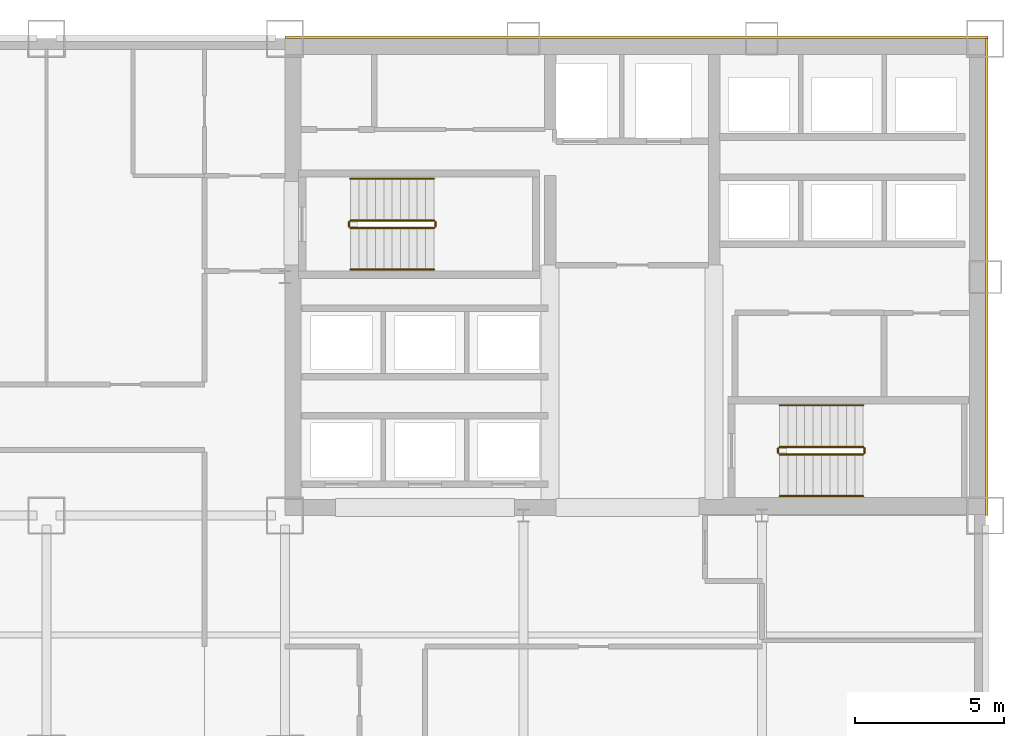
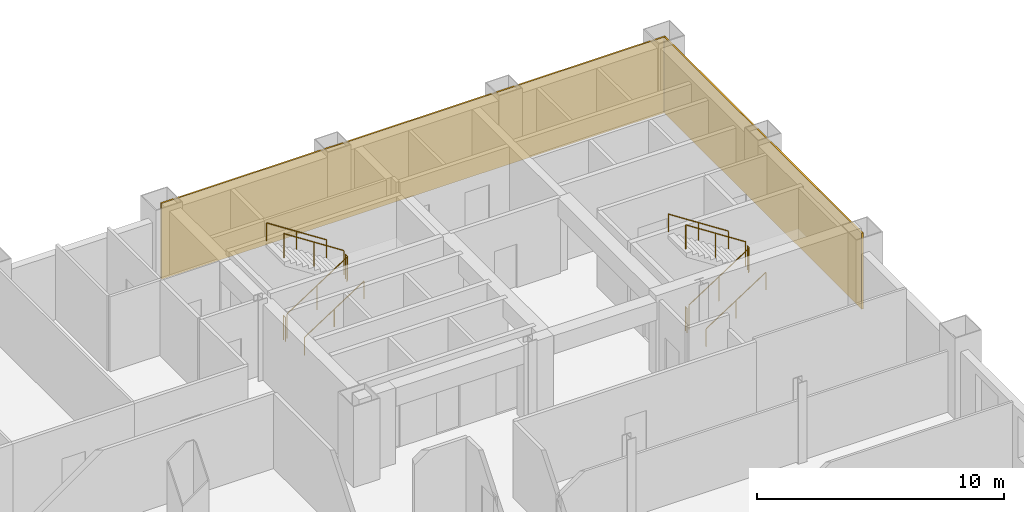
# One storey, part 9 of 9: 12 railings, 2 coverings.
"""IFC4 building model written with IfcOpenShell, lengths in metres."""

from ifc_helpers import new_model, si_unit, direction, frame, origin, origin_2d, place, context, subcontext, project, spatial, rectangle, circle, extrude, material, layer, layer_set, type_object, element, save


model = new_model("IFC4")

# Units and contexts
model_context = context("Model", 3, precision=1e-05, world=origin(), true_north=direction((0.0, 1.0)))
body_context = subcontext(model_context, "Body", "Model", "MODEL_VIEW")
ifc_project = project(units=[si_unit("LENGTHUNIT", "METRE"), si_unit("AREAUNIT", "SQUARE_METRE"), si_unit("VOLUMEUNIT", "CUBIC_METRE"), si_unit("PLANEANGLEUNIT", "RADIAN"), si_unit("MASSUNIT", "GRAM", prefix="KILO")], contexts=[model_context])

# Site, building, storey
site_placement = place(None, origin())
site = spatial("IfcSite", under=ifc_project, at=site_placement, CompositionType="ELEMENT")
building_placement = place(site_placement, origin())
building = spatial("IfcBuilding", under=site, at=building_placement, Name="Qianrong Seaharbour Tower", CompositionType="ELEMENT")
storey_placement = place(building_placement, frame((0.0, 0.0, 32.199951171875)))
storey = spatial("IfcBuildingStorey", under=building, at=storey_placement, Name="L07", CompositionType="ELEMENT", Elevation=32.199951171875)

# Coverings
ifc_material_1 = material(Name="Unitised red brick cladding on Precast concrete C45/55", Category="masonry")
ifc_layer = layer(ifc_material_1, 0.080078125)
ifc_layer_set = layer_set([ifc_layer], Name="Unitised red brick cladding on Precast concrete C45/55")
covering_type = type_object("IfcCoveringType", Name="COV-CLAD-RED-BRICK-80", PredefinedType="CLADDING", material=ifc_layer_set)
covering_1_placement = place(storey_placement, frame((52.2900390625, 52.0400390625, 0.0), z_axis=(0.0, 0.0, 1.0), x_axis=(1.0, 0.0, 0.0)))
element("IfcCovering", 1, at=covering_1_placement, inside=storey, type_object=covering_type, Name="L07 North Core Brick Veneer Cladding", PredefinedType="CLADDING", context=body_context, shape_type="SweptSolid", body=[
    extrude(rectangle(XDim=23.580078125, YDim=0.080078125, at=origin_2d()), origin(), (0.0, 0.0, 1.0), 3.75),
])
covering_2_placement = place(storey_placement, frame((64.0400390625, 44.0, 0.0), z_axis=(0.0, 0.0, 1.0), x_axis=(1.0, 0.0, 0.0)))
element("IfcCovering", 2, at=covering_2_placement, inside=storey, type_object=covering_type, Name="L07 East Core Brick Veneer Cladding", PredefinedType="CLADDING", context=body_context, shape_type="SweptSolid", body=[
    extrude(rectangle(XDim=0.080078125, YDim=16.0, at=origin_2d()), origin(), (0.0, 0.0, 1.0), 3.75),
])

# Railings
ifc_material_2 = material(Name="Galvanized painted steel SN400B stair guard", Category="steel")
railing_type_1 = type_object("IfcRailingType", Name="RAIL-STAIR-GUARD-1220", PredefinedType="GUARDRAIL", material=ifc_material_2)
railing_1_placement = place(storey_placement, frame((42.699951171875, 45.64990234375, 0.181884765625)))
element("IfcRailing", 3, at=railing_1_placement, inside=storey, type_object=railing_type_1, Name="L07 ST-1 stair guard 1", PredefinedType="GUARDRAIL", context=body_context, shape_type="SweptSolid", body=[
    extrude(circle(Radius=0.02392578125, at=origin_2d()), frame((0.0, 0.0, 1.19580078125), z_axis=(0.838705829183, 0.0, 0.544584733623), x_axis=(0.0, 1.0, 0.0)), (0.0, 0.0, 1.0), 3.338623046875),
    extrude(circle(Radius=0.02099609375, at=origin_2d()), origin(), (0.0, 0.0, 1.0), 1.171875),
    extrude(circle(Radius=0.02099609375, at=origin_2d()), frame((1.39990234375, 0.0, 0.9091796875)), (0.0, 0.0, 1.0), 1.171875),
    extrude(circle(Radius=0.02099609375, at=origin_2d()), frame((2.800048828125, 0.0, 1.818115234375)), (0.0, 0.0, 1.0), 1.171875),
])
railing_2_placement = place(storey_placement, frame((45.550048828125, 45.699951171875, 2.0)))
element("IfcRailing", 4, at=railing_2_placement, inside=storey, type_object=railing_type_1, Name="L07 ST-1 stair guard 2", PredefinedType="GUARDRAIL", context=body_context, shape_type="SweptSolid", body=[
    extrude(circle(Radius=0.02392578125, at=origin_2d()), frame((0.0, 0.0, 1.19580078125), z_axis=(0.0, 1.0, 0.0), x_axis=(-1.0, 0.0, 0.0)), (0.0, 0.0, 1.0), 0.150146484375),
    extrude(circle(Radius=0.02099609375, at=origin_2d()), origin(), (0.0, 0.0, 1.0), 1.171875),
    extrude(circle(Radius=0.02099609375, at=origin_2d()), frame((0.0, 0.150146484375, 0.0)), (0.0, 0.0, 1.0), 1.171875),
])
railing_3_placement = place(storey_placement, frame((45.5, 45.89990234375, 2.181884765625)))
element("IfcRailing", 5, at=railing_3_placement, inside=storey, type_object=railing_type_1, Name="L07 ST-1 stair guard 3", PredefinedType="GUARDRAIL", context=body_context, shape_type="SweptSolid", body=[
    extrude(circle(Radius=0.02392578125, at=origin_2d()), frame((0.0, 0.0, 1.19580078125), z_axis=(-0.838705829183, 0.0, 0.544584733623), x_axis=(0.0, -1.0, 0.0)), (0.0, 0.0, 1.0), 3.338623046875),
    extrude(circle(Radius=0.02099609375, at=origin_2d()), origin(), (0.0, 0.0, 1.0), 1.171875),
    extrude(circle(Radius=0.02099609375, at=origin_2d()), frame((-1.39990234375, 0.0, 0.9091796875)), (0.0, 0.0, 1.0), 1.171875),
    extrude(circle(Radius=0.02099609375, at=origin_2d()), frame((-2.800048828125, 0.0, 1.818115234375)), (0.0, 0.0, 1.0), 1.171875),
])
railing_4_placement = place(storey_placement, frame((42.64990234375, 45.699951171875, 0.0)))
element("IfcRailing", 6, at=railing_4_placement, inside=storey, type_object=railing_type_1, Name="L07 ST-1 stair guard 4", PredefinedType="GUARDRAIL", context=body_context, shape_type="SweptSolid", body=[
    extrude(circle(Radius=0.02392578125, at=origin_2d()), frame((0.0, 0.0, 1.19580078125), z_axis=(0.0, 1.0, 0.0), x_axis=(-1.0, 0.0, 0.0)), (0.0, 0.0, 1.0), 0.150146484375),
    extrude(circle(Radius=0.02099609375, at=origin_2d()), origin(), (0.0, 0.0, 1.0), 1.171875),
    extrude(circle(Radius=0.02099609375, at=origin_2d()), frame((0.0, 0.150146484375, 0.0)), (0.0, 0.0, 1.0), 1.171875),
])
railing_5_placement = place(storey_placement, frame((57.10009765625, 38.050048828125, 0.181884765625)))
element("IfcRailing", 7, at=railing_5_placement, inside=storey, type_object=railing_type_1, Name="L07 ST-2 stair guard 1", PredefinedType="GUARDRAIL", context=body_context, shape_type="SweptSolid", body=[
    extrude(circle(Radius=0.02392578125, at=origin_2d()), frame((0.0, 0.0, 1.19580078125), z_axis=(0.83868413941, 0.0, 0.544618136222), x_axis=(0.0, 1.0, 0.0)), (0.0, 0.0, 1.0), 3.33837890625),
    extrude(circle(Radius=0.02099609375, at=origin_2d()), origin(), (0.0, 0.0, 1.0), 1.171875),
    extrude(circle(Radius=0.02099609375, at=origin_2d()), frame((1.39990234375, 0.0, 0.9091796875)), (0.0, 0.0, 1.0), 1.171875),
    extrude(circle(Radius=0.02099609375, at=origin_2d()), frame((2.7998046875, 0.0, 1.818115234375)), (0.0, 0.0, 1.0), 1.171875),
])
railing_6_placement = place(storey_placement, frame((59.949951171875, 38.10009765625, 2.0)))
element("IfcRailing", 8, at=railing_6_placement, inside=storey, type_object=railing_type_1, Name="L07 ST-2 stair guard 2", PredefinedType="GUARDRAIL", context=body_context, shape_type="SweptSolid", body=[
    extrude(circle(Radius=0.02392578125, at=origin_2d()), frame((0.0, 0.0, 1.19580078125), z_axis=(0.0, 1.0, 0.0), x_axis=(-1.0, 0.0, 0.0)), (0.0, 0.0, 1.0), 0.14990234375),
    extrude(circle(Radius=0.02099609375, at=origin_2d()), origin(), (0.0, 0.0, 1.0), 1.171875),
    extrude(circle(Radius=0.02099609375, at=origin_2d()), frame((0.0, 0.14990234375, 0.0)), (0.0, 0.0, 1.0), 1.171875),
])
railing_7_placement = place(storey_placement, frame((59.89990234375, 38.300048828125, 2.181884765625)))
element("IfcRailing", 9, at=railing_7_placement, inside=storey, type_object=railing_type_1, Name="L07 ST-2 stair guard 3", PredefinedType="GUARDRAIL", context=body_context, shape_type="SweptSolid", body=[
    extrude(circle(Radius=0.02392578125, at=origin_2d()), frame((0.0, 0.0, 1.19580078125), z_axis=(-0.83868413941, 0.0, 0.544618136222), x_axis=(0.0, -1.0, 0.0)), (0.0, 0.0, 1.0), 3.33837890625),
    extrude(circle(Radius=0.02099609375, at=origin_2d()), origin(), (0.0, 0.0, 1.0), 1.171875),
    extrude(circle(Radius=0.02099609375, at=origin_2d()), frame((-1.39990234375, 0.0, 0.9091796875)), (0.0, 0.0, 1.0), 1.171875),
    extrude(circle(Radius=0.02099609375, at=origin_2d()), frame((-2.7998046875, 0.0, 1.818115234375)), (0.0, 0.0, 1.0), 1.171875),
])
railing_8_placement = place(storey_placement, frame((57.050048828125, 38.10009765625, 0.0)))
element("IfcRailing", 10, at=railing_8_placement, inside=storey, type_object=railing_type_1, Name="L07 ST-2 stair guard 4", PredefinedType="GUARDRAIL", context=body_context, shape_type="SweptSolid", body=[
    extrude(circle(Radius=0.02392578125, at=origin_2d()), frame((0.0, 0.0, 1.19580078125), z_axis=(0.0, 1.0, 0.0), x_axis=(-1.0, 0.0, 0.0)), (0.0, 0.0, 1.0), 0.14990234375),
    extrude(circle(Radius=0.02099609375, at=origin_2d()), origin(), (0.0, 0.0, 1.0), 1.171875),
    extrude(circle(Radius=0.02099609375, at=origin_2d()), frame((0.0, 0.14990234375, 0.0)), (0.0, 0.0, 1.0), 1.171875),
])
ifc_material_3 = material(Name="Stainless steel SUS316L continuous handrail", Category="steel")
railing_type_2 = type_object("IfcRailingType", Name="RAIL-STAIR-HANDRAIL-900", PredefinedType="HANDRAIL", material=ifc_material_3)
railing_9_placement = place(storey_placement, frame((42.699951171875, 44.25, 0.181884765625)))
element("IfcRailing", 11, at=railing_9_placement, inside=storey, type_object=railing_type_2, Name="L07 ST-1 stair handrail 1", PredefinedType="HANDRAIL", context=body_context, shape_type="SweptSolid", body=[
    extrude(circle(Radius=0.02392578125, at=origin_2d()), frame((0.0, 0.0, 0.8759765625), z_axis=(0.838705829183, 0.0, 0.544584733623), x_axis=(0.0, 1.0, 0.0)), (0.0, 0.0, 1.0), 3.338623046875),
    extrude(circle(Radius=0.02099609375, at=origin_2d()), origin(), (0.0, 0.0, 1.0), 0.851806640625),
    extrude(circle(Radius=0.02099609375, at=origin_2d()), frame((1.39990234375, 0.0, 0.9091796875)), (0.0, 0.0, 1.0), 0.851806640625),
    extrude(circle(Radius=0.02099609375, at=origin_2d()), frame((2.800048828125, 0.0, 1.818115234375)), (0.0, 0.0, 1.0), 0.851806640625),
])
railing_10_placement = place(storey_placement, frame((45.5, 47.300048828125, 2.181884765625)))
element("IfcRailing", 12, at=railing_10_placement, inside=storey, type_object=railing_type_2, Name="L07 ST-1 stair handrail 2", PredefinedType="HANDRAIL", context=body_context, shape_type="SweptSolid", body=[
    extrude(circle(Radius=0.02392578125, at=origin_2d()), frame((0.0, 0.0, 0.8759765625), z_axis=(-0.838705829183, 0.0, 0.544584733623), x_axis=(0.0, -1.0, 0.0)), (0.0, 0.0, 1.0), 3.338623046875),
    extrude(circle(Radius=0.02099609375, at=origin_2d()), origin(), (0.0, 0.0, 1.0), 0.851806640625),
    extrude(circle(Radius=0.02099609375, at=origin_2d()), frame((-1.39990234375, 0.0, 0.9091796875)), (0.0, 0.0, 1.0), 0.851806640625),
    extrude(circle(Radius=0.02099609375, at=origin_2d()), frame((-2.800048828125, 0.0, 1.818115234375)), (0.0, 0.0, 1.0), 0.851806640625),
])
railing_11_placement = place(storey_placement, frame((57.10009765625, 36.64990234375, 0.181884765625)))
element("IfcRailing", 13, at=railing_11_placement, inside=storey, type_object=railing_type_2, Name="L07 ST-2 stair handrail 1", PredefinedType="HANDRAIL", context=body_context, shape_type="SweptSolid", body=[
    extrude(circle(Radius=0.02392578125, at=origin_2d()), frame((0.0, 0.0, 0.8759765625), z_axis=(0.83868413941, 0.0, 0.544618136222), x_axis=(0.0, 1.0, 0.0)), (0.0, 0.0, 1.0), 3.33837890625),
    extrude(circle(Radius=0.02099609375, at=origin_2d()), origin(), (0.0, 0.0, 1.0), 0.851806640625),
    extrude(circle(Radius=0.02099609375, at=origin_2d()), frame((1.39990234375, 0.0, 0.9091796875)), (0.0, 0.0, 1.0), 0.851806640625),
    extrude(circle(Radius=0.02099609375, at=origin_2d()), frame((2.7998046875, 0.0, 1.818115234375)), (0.0, 0.0, 1.0), 0.851806640625),
])
railing_12_placement = place(storey_placement, frame((59.89990234375, 39.699951171875, 2.181884765625)))
element("IfcRailing", 14, at=railing_12_placement, inside=storey, type_object=railing_type_2, Name="L07 ST-2 stair handrail 2", PredefinedType="HANDRAIL", context=body_context, shape_type="SweptSolid", body=[
    extrude(circle(Radius=0.02392578125, at=origin_2d()), frame((0.0, 0.0, 0.8759765625), z_axis=(-0.83868413941, 0.0, 0.544618136222), x_axis=(0.0, -1.0, 0.0)), (0.0, 0.0, 1.0), 3.33837890625),
    extrude(circle(Radius=0.02099609375, at=origin_2d()), origin(), (0.0, 0.0, 1.0), 0.851806640625),
    extrude(circle(Radius=0.02099609375, at=origin_2d()), frame((-1.39990234375, 0.0, 0.9091796875)), (0.0, 0.0, 1.0), 0.851806640625),
    extrude(circle(Radius=0.02099609375, at=origin_2d()), frame((-2.7998046875, 0.0, 1.818115234375)), (0.0, 0.0, 1.0), 0.851806640625),
])

save(model, "model.ifc")
